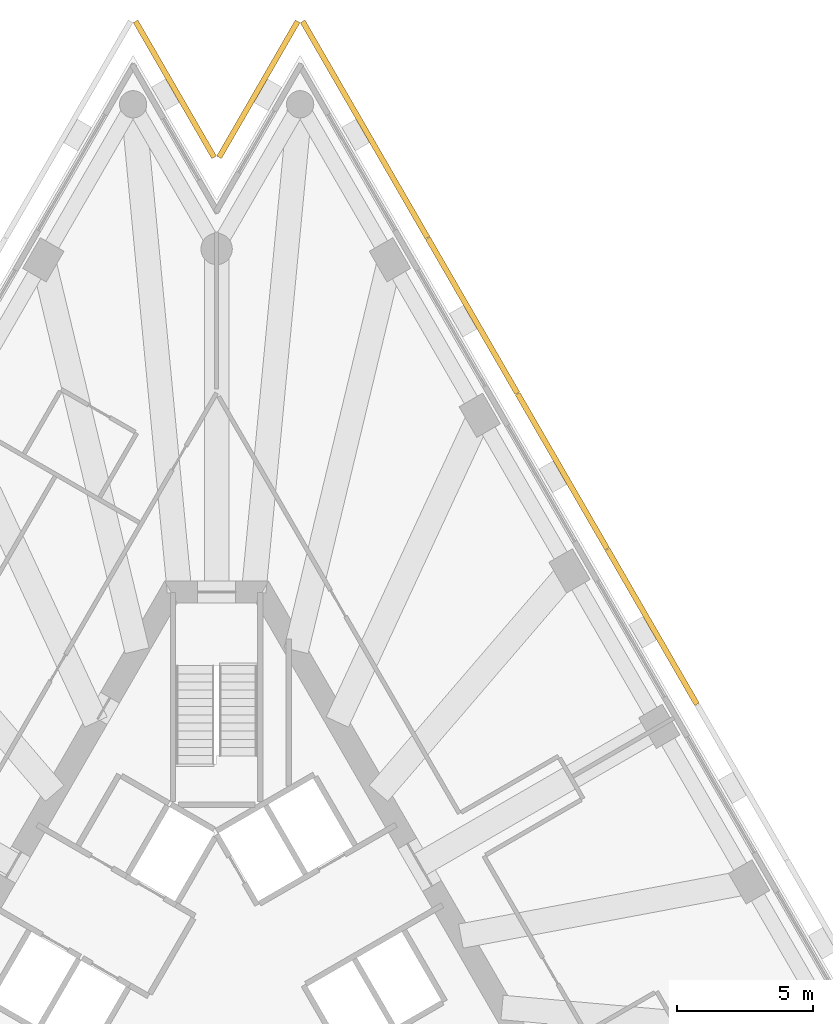
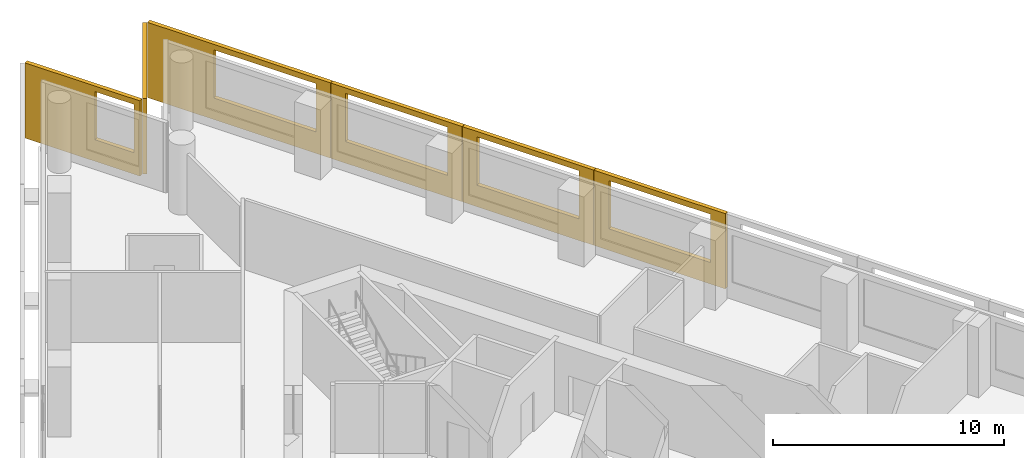
# One storey, part 10 of 10: 6 shading devices.
"""IFC4 building model written with IfcOpenShell, lengths in metres."""

import ifcopenshell
import ifcopenshell.guid

model = None  # the IFC model being written
_history = None  # IfcOwnerHistory: only IFC2X3 demands one
_inside = {}  # id of a spatial element -> (the spatial element, [elements in it])
_under = {}  # id of a project, library or spatial element -> (it, [spatial elements below it])
_declared = {}  # id of a project -> (the project, [libraries it declares])
_typed = {}  # id of a type object -> (the type object, [elements of that type])
_made_of = {}  # id of a material, layer set ... -> (it, [elements and type objects made of it])


def new_model(schema):
    """Start an empty IFC model of exactly this schema.

    Asked for "IFC4X3", IfcOpenShell would pick the latest addendum, in which some entities
    have other attributes; the version numbers below select the first issue.
    IFC2X3 requires an IfcOwnerHistory on every rooted entity: one is made here for all.
    """
    global model, _history
    if schema == "IFC4X3":
        model = ifcopenshell.file(schema_version=(4, 3, 0, 0))
    else:
        model = ifcopenshell.file(schema=schema)
    _inside.clear()
    _under.clear()
    _declared.clear()
    _typed.clear()
    _made_of.clear()
    _history = None
    if model.schema == "IFC2X3":
        org = make("IfcOrganization", Name="unknown")
        user = make(
            "IfcPersonAndOrganization",
            ThePerson=make("IfcPerson", FamilyName="unknown"),
            TheOrganization=org,
        )
        app = make(
            "IfcApplication",
            ApplicationDeveloper=org,
            Version="unknown",
            ApplicationFullName="unknown",
            ApplicationIdentifier="unknown",
        )
        _history = make(
            "IfcOwnerHistory",
            OwningUser=user,
            OwningApplication=app,
            ChangeAction="ADDED",
            CreationDate=0,
        )
    return model


def make(cls, **values):
    """One entity of the class cls with the attributes given. An attribute that is None is left unset."""
    return model.create_entity(
        cls, **{name: value for name, value in values.items() if value is not None}
    )


def rooted(cls, **values):
    """An entity with a GlobalId (a new one), such as an element, a storey or a relation."""
    return make(cls, GlobalId=ifcopenshell.guid.new(), OwnerHistory=_history, **values)


def si_unit(unit_type, name, prefix=None):
    """IfcSIUnit, for example si_unit("LENGTHUNIT", "METRE", prefix="MILLI")."""
    return make("IfcSIUnit", UnitType=unit_type, Prefix=prefix, Name=name)


def assignment(units):
    """IfcUnitAssignment: the units of a project."""
    return None if units is None else make("IfcUnitAssignment", Units=units)


def point(xyz):
    """IfcCartesianPoint."""
    return None if xyz is None else make("IfcCartesianPoint", Coordinates=xyz)


def direction(xyz):
    """IfcDirection."""
    return None if xyz is None else make("IfcDirection", DirectionRatios=xyz)


def frame(location, z_axis=None, x_axis=None):
    """IfcAxis2Placement3D, a coordinate frame: its origin and axes. An axis left out is left unset."""
    return make(
        "IfcAxis2Placement3D",
        Location=point(location),
        Axis=direction(z_axis),
        RefDirection=direction(x_axis),
    )


def origin():
    """The frame at (0, 0, 0) with its axes left unset."""
    return frame((0.0, 0.0, 0.0))


def place(relative_to, where):
    """IfcLocalPlacement: puts the frame where relative to a parent placement (None: the world)."""
    return make(
        "IfcLocalPlacement", PlacementRelTo=relative_to, RelativePlacement=where
    )


def context(
    kind, dimensions, precision=None, world=None, true_north=None, identifier=None
):
    """IfcGeometricRepresentationContext, for example the 3D "Model" context."""
    return make(
        "IfcGeometricRepresentationContext",
        ContextIdentifier=identifier,
        ContextType=kind,
        CoordinateSpaceDimension=dimensions,
        Precision=precision,
        WorldCoordinateSystem=world,
        TrueNorth=true_north,
    )


def subcontext(parent, identifier, kind, view, scale=None):
    """IfcGeometricRepresentationSubContext, for example "Body" below "Model"."""
    return make(
        "IfcGeometricRepresentationSubContext",
        ContextIdentifier=identifier,
        ContextType=kind,
        ParentContext=parent,
        TargetScale=scale,
        TargetView=view,
    )


def project(units=None, contexts=None):
    """IfcProject with its units and contexts."""
    return rooted(
        "IfcProject",
        Name="project",
        RepresentationContexts=contexts,
        UnitsInContext=assignment(units),
    )


def spatial(cls, under=None, at=None, **own):
    """A site, building, storey or space (cls), placed at a placement, below another one or the project."""
    s = rooted(cls, ObjectPlacement=at, **own)
    if under is not None:
        _under.setdefault(under.id(), (under, []))[1].append(s)
    return s


def polyline(points):
    """IfcPolyline through the points."""
    return make("IfcPolyline", Points=[point(p) for p in points])


def outline(outer, holes=None, kind="AREA"):
    """IfcArbitraryClosedProfileDef: a profile drawn as a closed curve; with holes, ...WithVoids."""
    if holes is None:
        return make("IfcArbitraryClosedProfileDef", ProfileType=kind, OuterCurve=outer)
    return make(
        "IfcArbitraryProfileDefWithVoids",
        ProfileType=kind,
        OuterCurve=outer,
        InnerCurves=holes,
    )


def extrude(swept, where, along, depth):
    """IfcExtrudedAreaSolid: the profile swept, set in the frame where, extruded along a direction by depth."""
    return make(
        "IfcExtrudedAreaSolid",
        SweptArea=swept,
        Position=where,
        ExtrudedDirection=direction(along),
        Depth=depth,
    )


def shape(context_of_items, identifier, shape_type, items):
    """IfcShapeRepresentation: the items that make up one representation, for example the "Body"."""
    return make(
        "IfcShapeRepresentation",
        ContextOfItems=context_of_items,
        RepresentationIdentifier=identifier,
        RepresentationType=shape_type,
        Items=items,
    )


def material(Name=None, Category=None):
    """IfcMaterial."""
    return make("IfcMaterial", Name=Name, Category=Category)


def layer(
    of_material, thickness, ventilated=None, Name=None, Category=None, Priority=None
):
    """IfcMaterialLayer: one layer of a wall or slab, of a material (None: an air gap)."""
    return make(
        "IfcMaterialLayer",
        Material=of_material,
        LayerThickness=thickness,
        IsVentilated=ventilated,
        Name=Name,
        Category=Category,
        Priority=Priority,
    )


def layer_set(layers, Name=None):
    """IfcMaterialLayerSet."""
    return make("IfcMaterialLayerSet", MaterialLayers=layers, LayerSetName=Name)


def made_of(thing, what):
    """Note that an element or type object is made of a material, layer set ...; save() writes the relation."""
    if what is not None:
        _made_of.setdefault(what.id(), (what, []))[1].append(thing)
    return thing


def type_object(cls, material=None, **own):
    """A type object (cls), such as IfcWallType, which elements share."""
    return made_of(rooted(cls, **own), material)


def element(
    cls,
    number,
    at=None,
    inside=None,
    cuts=None,
    type_object=None,
    material=None,
    context=None,
    identifier="Body",
    shape_type=None,
    held_by="IfcProductDefinitionShape",
    body=None,
    shapes=None,
    **own,
):
    """One element of the class cls, such as IfcWall. Its Tag is "e" and its number.

    at: its placement. inside: the storey or other place that contains it. cuts: it is an
    opening in that element (IfcRelVoidsElement). A single representation is given by context,
    identifier, shape_type and body (its items); several are given by shapes. held_by: the class
    of the entity that holds the representations. save() writes the other relations.
    """
    e = rooted(cls, Tag="e%d" % number, ObjectPlacement=at, **own)
    if body is not None:
        shapes = [shape(context, identifier, shape_type, body)]
    if shapes is not None:
        e.Representation = make(held_by, Representations=shapes)
    if inside is not None:
        _inside.setdefault(inside.id(), (inside, []))[1].append(e)
    if cuts is not None:
        rooted(
            "IfcRelVoidsElement", RelatingBuildingElement=cuts, RelatedOpeningElement=e
        )
    if type_object is not None:
        _typed.setdefault(type_object.id(), (type_object, []))[1].append(e)
    return made_of(e, material)


def aggregate(whole, parts):
    """IfcRelAggregates: a whole, such as a stair, and the parts it consists of."""
    return rooted("IfcRelAggregates", RelatingObject=whole, RelatedObjects=parts)


def save(model, path):
    """Write the relations noted so far, then the file.

    IfcRelAggregates (storeys below a building ...), IfcRelContainedInSpatialStructure (elements
    in a storey), IfcRelDefinesByType, IfcRelAssociatesMaterial and IfcRelDeclares: one each for
    every whole, place, type object, material and project.
    """
    for whole, parts in _under.values():
        aggregate(whole, parts)
    for where, things in _inside.values():
        rooted(
            "IfcRelContainedInSpatialStructure",
            RelatedElements=things,
            RelatingStructure=where,
        )
    for kind, things in _typed.values():
        rooted("IfcRelDefinesByType", RelatedObjects=things, RelatingType=kind)
    for what, things in _made_of.values():
        rooted("IfcRelAssociatesMaterial", RelatedObjects=things, RelatingMaterial=what)
    for by, libraries in _declared.values():
        rooted("IfcRelDeclares", RelatingContext=by, RelatedDefinitions=libraries)
    model.write(path)


model = new_model("IFC4")

# Units and contexts
model_context = context("Model", 3, precision=1e-05, world=origin(), true_north=direction((0.0, 1.0)))
body_context = subcontext(model_context, "Body", "Model", "MODEL_VIEW")
ifc_project = project(units=[si_unit("LENGTHUNIT", "METRE"), si_unit("AREAUNIT", "SQUARE_METRE"), si_unit("VOLUMEUNIT", "CUBIC_METRE"), si_unit("PLANEANGLEUNIT", "RADIAN"), si_unit("MASSUNIT", "GRAM", prefix="KILO")], contexts=[model_context])

# Site, building, storey
site_placement = place(None, origin())
site = spatial("IfcSite", under=ifc_project, at=site_placement, CompositionType="ELEMENT")
building_placement = place(site_placement, origin())
building = spatial("IfcBuilding", under=site, at=building_placement, Name="Triada Interchange Tower", CompositionType="ELEMENT")
storey_placement = place(building_placement, frame((0.0, 0.0, 152.300048828125)))
storey = spatial("IfcBuildingStorey", under=building, at=storey_placement, Name="L35", CompositionType="ELEMENT", Elevation=152.300048828125)

# Shading devices
ifc_material = material(Name="Concrete C50/60 precast", Category="concrete")
ifc_layer_1 = layer(ifc_material, 0.02001953125, Name="Exposed aggregate face")
ifc_layer_2 = layer(ifc_material, 0.179931640625, Name="Precast concrete screen")
ifc_layer_set = layer_set([ifc_layer_1, ifc_layer_2], Name="Outer skin screen panel 3980")
shading_device_type = type_object("IfcShadingDeviceType", Name="Outer skin screen panel 3980", PredefinedType="SHUTTER", material=ifc_layer_set)
shading_device_1_placement = place(storey_placement, frame((17.529052734375, 10.132080078125, -0.2900390625), z_axis=(0.0, 0.0, 1.0), x_axis=(-0.500014285048, 0.866017156151, 0.0)))
element("IfcShadingDevice", 1, at=shading_device_1_placement, inside=storey, type_object=shading_device_type, Name="Outer skin screen panel L35 25", PredefinedType="SHUTTER", context=body_context, shape_type="SweptSolid", body=[
    extrude(outline(polyline([(0.0, 0.0), (6.565673828125, 0.0), (6.565673828125, 3.97998046875), (0.0, 3.97998046875), (0.0, 0.0)]), holes=[polyline([(0.733154296875, 1.139892578125), (0.733154296875, 3.68994140625), (5.8330078125, 3.68994140625), (5.8330078125, 1.139892578125), (0.733154296875, 1.139892578125)])]), frame((0.0, 0.0, 0.0), z_axis=(0.0, -1.0, 0.0), x_axis=(1.0, 0.0, 0.0)), (0.0, 0.0, 1.0), 0.199951171875),
])
for number, where, z_axis, x_axis, name in (
    (2, (14.236083984375, 15.8349609375, -0.2900390625), (0.0, 0.0, 1.0), (-0.499977771575, 0.866038236991, 0.0), "Outer skin screen panel L35 26"),
    (3, (10.943115234375, 21.5390625, -0.2900390625), (0.0, 0.0, 1.0), (-0.499977771575, 0.866038236991, 0.0), "Outer skin screen panel L35 27"),
):
    element("IfcShadingDevice", number, at=place(storey_placement, frame(where, z_axis=z_axis, x_axis=x_axis)), inside=storey, type_object=shading_device_type, Name=name, PredefinedType="SHUTTER", context=body_context, shape_type="SweptSolid", body=[
        extrude(outline(polyline([(0.0, 0.0), (6.566650390625, 0.0), (6.566650390625, 3.97998046875), (0.0, 3.97998046875), (0.0, 0.0)]), holes=[polyline([(0.733154296875, 1.139892578125), (0.733154296875, 3.68994140625), (5.8330078125, 3.68994140625), (5.8330078125, 1.139892578125), (0.733154296875, 1.139892578125)])]), frame((0.0, 0.0, 0.0), z_axis=(0.0, -1.0, 0.0), x_axis=(1.0, 0.0, 0.0)), (0.0, 0.0, 1.0), 0.199951171875),
    ])
shading_device_2_placement = place(storey_placement, frame((7.64990234375, 27.242919921875, -0.2900390625), z_axis=(0.0, 0.0, 1.0), x_axis=(-0.499993049377, 0.866029416691, 0.0)))
element("IfcShadingDevice", 4, at=shading_device_2_placement, inside=storey, type_object=shading_device_type, Name="Outer skin screen panel L35 28", PredefinedType="SHUTTER", context=body_context, shape_type="SweptSolid", body=[
    extrude(outline(polyline([(0.0, 0.0), (9.163818359375, 0.0), (9.163818359375, 3.97998046875), (0.0, 3.97998046875), (0.0, 0.0)]), holes=[polyline([(0.73291015625, 1.139892578125), (0.73291015625, 3.68994140625), (5.8330078125, 3.68994140625), (5.8330078125, 1.139892578125), (0.73291015625, 1.139892578125)])]), frame((0.0, 0.0, 0.0), z_axis=(0.0, -1.0, 0.0), x_axis=(1.0, 0.0, 0.0)), (0.0, 0.0, 1.0), 0.199951171875),
])
shading_device_3_placement = place(storey_placement, frame((3.05810546875, 35.178955078125, -0.2900390625), z_axis=(0.0, 0.0, 1.0), x_axis=(-0.50011019818, -0.865961771487, 0.0)))
element("IfcShadingDevice", 5, at=shading_device_3_placement, inside=storey, type_object=shading_device_type, Name="Outer skin screen panel L35 29", PredefinedType="SHUTTER", context=body_context, shape_type="SweptSolid", body=[
    extrude(outline(polyline([(0.0, 0.0), (5.759033203125, 0.0), (5.759033203125, 3.97998046875), (0.0, 3.97998046875), (0.0, 0.0)]), holes=[polyline([(3.175537109375, 1.139892578125), (3.175537109375, 3.68994140625), (5.45947265625, 3.68994140625), (5.45947265625, 1.139892578125), (3.175537109375, 1.139892578125)])]), frame((0.0, 0.0, 0.0), z_axis=(0.0, -1.0, 0.0), x_axis=(1.0, 0.0, 0.0)), (0.0, 0.0, 1.0), 0.199951171875),
])
shading_device_4_placement = place(storey_placement, frame((-0.177978515625, 30.19189453125, -0.2900390625), z_axis=(0.0, 0.0, 1.0), x_axis=(-0.50011019818, 0.865961771487, 0.0)))
element("IfcShadingDevice", 6, at=shading_device_4_placement, inside=storey, type_object=shading_device_type, Name="Outer skin screen panel L35 30", PredefinedType="SHUTTER", context=body_context, shape_type="SweptSolid", body=[
    extrude(outline(polyline([(0.0, 0.0), (5.759033203125, 0.0), (5.759033203125, 3.97998046875), (0.0, 3.97998046875), (0.0, 0.0)]), holes=[polyline([(0.300048828125, 1.139892578125), (0.300048828125, 3.68994140625), (2.2578125, 3.68994140625), (2.2578125, 1.139892578125), (0.300048828125, 1.139892578125)])]), frame((0.0, 0.0, 0.0), z_axis=(0.0, -1.0, 0.0), x_axis=(1.0, 0.0, 0.0)), (0.0, 0.0, 1.0), 0.199951171875),
])

save(model, "model.ifc")
